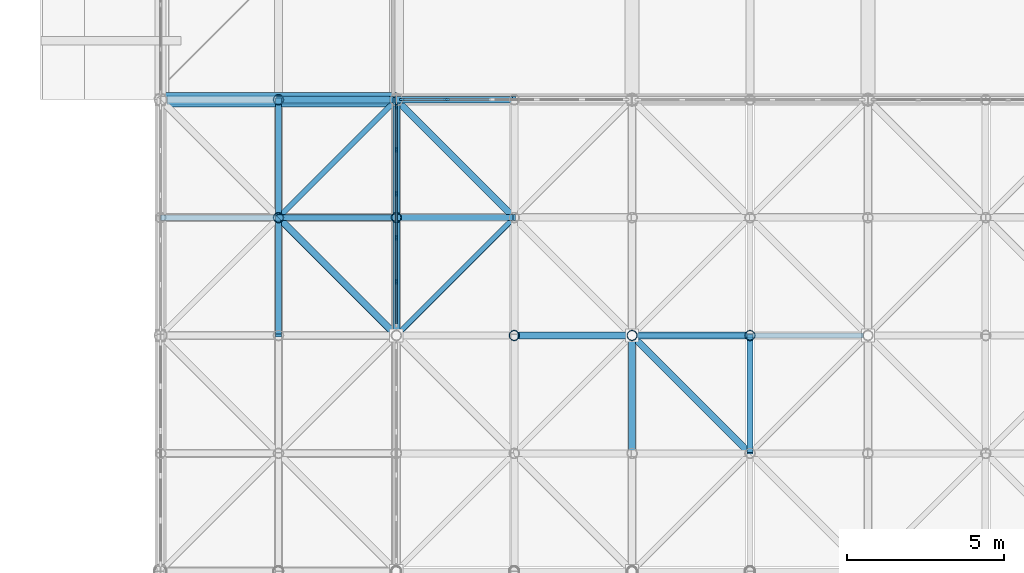
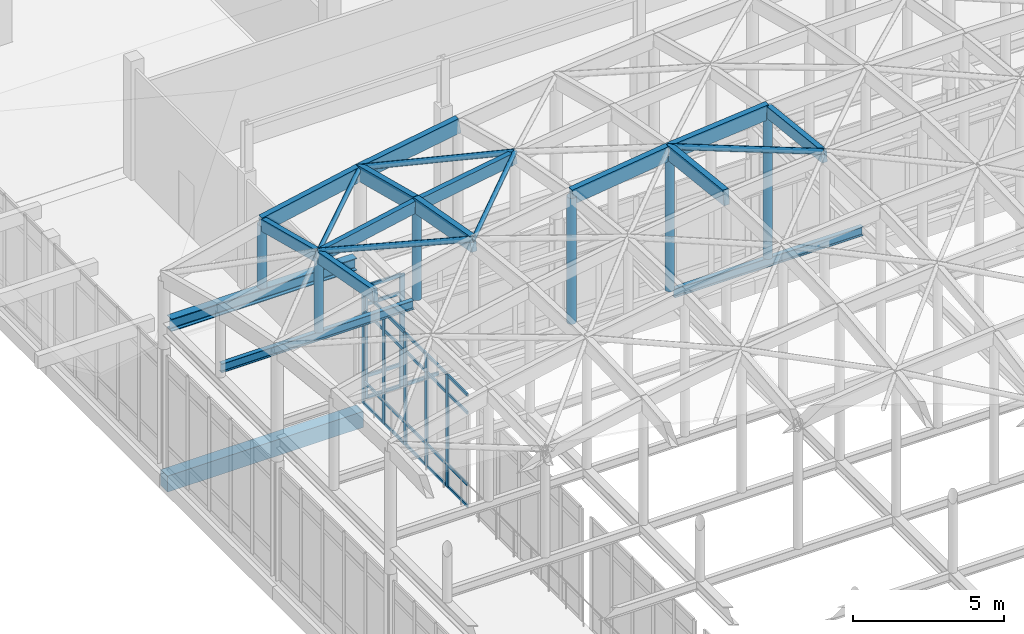
# One storey, part 38 of 131: 55 members, 4 beams, 2 elements without a shape of their own.
"""IFC4 building model written with IfcOpenShell, lengths in metres."""

from ifc_helpers import new_model, si_unit, direction, frame, origin, origin_2d, place, context, subcontext, project, spatial, rectangle, hollow_circle, i_section, extrude, material, layer, layer_set, material_profile, profile_set, type_object, element, aggregate, save


model = new_model("IFC4")

# Units and contexts
model_context = context("Model", 3, precision=1e-05, world=origin(), true_north=direction((0.0, 1.0)))
body_context = subcontext(model_context, "Body", "Model", "MODEL_VIEW")
ifc_project = project(units=[si_unit("LENGTHUNIT", "METRE"), si_unit("AREAUNIT", "SQUARE_METRE"), si_unit("VOLUMEUNIT", "CUBIC_METRE"), si_unit("PLANEANGLEUNIT", "RADIAN"), si_unit("MASSUNIT", "GRAM", prefix="KILO")], contexts=[model_context])

# Site, building, storey
site_placement = place(None, origin())
site = spatial("IfcSite", under=ifc_project, at=site_placement, CompositionType="ELEMENT")
building_placement = place(site_placement, origin())
building = spatial("IfcBuilding", under=site, at=building_placement, Name="Dalvernix Boulevard General Hospital", CompositionType="ELEMENT")
storey_placement = place(building_placement, frame((0.0, 0.0, 9.300048828125)))
storey = spatial("IfcBuildingStorey", under=building, at=storey_placement, Name="L02", CompositionType="ELEMENT", Elevation=9.300048828125)

# Beams
ifc_material_1 = material(Name="Concrete C35/45", Category="concrete")
ifc_material_profile_1 = material_profile(ifc_material_1, rectangle(XDim=0.449951171875, YDim=0.64990234375, at=origin_2d()), Name="RCB 450x650")
ifc_profile_set_1 = profile_set([ifc_material_profile_1], Name="Concrete C35/45")
beam_type_1 = type_object("IfcBeamType", Name="BM-B-03-I", PredefinedType="BEAM", material=ifc_profile_set_1)
beam_1_placement = place(storey_placement, frame((60.0, 61.5, -0.64501953125), z_axis=(1.0, 0.0, 0.0), x_axis=(0.0, 1.0, 0.0)))
element("IfcBeam", 1, at=beam_1_placement, inside=storey, type_object=beam_type_1, Name="L02 E-W girder J:9-10", PredefinedType="BEAM", context=body_context, shape_type="SweptSolid", body=[
    extrude(rectangle(XDim=0.449951171875, YDim=0.64990234375, at=origin_2d()), origin(), (0.0, 0.0, 1.0), 7.5),
])
ifc_material_2 = material(Name="Steel S355", Category="steel")
ifc_material_profile_2 = material_profile(ifc_material_2, i_section(OverallWidth=0.300048828125, OverallDepth=0.5, WebThickness=0.014404296875, FlangeThickness=0.028076171875, FilletRadius=0.027099609375, at=origin_2d()), Name="HEB 500")
ifc_profile_set_2 = profile_set([ifc_material_profile_2], Name="Steel S355")
beam_type_2 = type_object("IfcBeamType", Name="BM-RB-02", PredefinedType="BEAM", material=ifc_profile_set_2)
beam_2_placement = place(storey_placement, frame((60.2099609375, 61.5, 5.64990234375), z_axis=(1.0, 0.0, 0.0), x_axis=(0.0, 1.0, 0.0)))
element("IfcBeam", 2, at=beam_2_placement, inside=storey, type_object=beam_type_2, Name="Gridshell Ring Beam N bay 1", PredefinedType="BEAM", context=body_context, shape_type="SweptSolid", body=[
    extrude(i_section(OverallWidth=0.300048828125, OverallDepth=0.5, WebThickness=0.014404296875, FlangeThickness=0.028076171875, FilletRadius=0.027099609375, at=origin_2d()), origin(), (0.0, 0.0, 1.0), 7.080078125),
])
ifc_material_profile_3 = material_profile(ifc_material_2, i_section(OverallWidth=0.169921875, OverallDepth=0.360107421875, WebThickness=0.008056640625, FlangeThickness=0.0126953125, FilletRadius=0.01806640625, at=origin_2d()), Name="IPE 360")
ifc_profile_set_3 = profile_set([ifc_material_profile_3], Name="Steel S355")
beam_type_3 = type_object("IfcBeamType", Name="BM-RB-08", PredefinedType="BEAM", material=ifc_profile_set_3)
beam_3_placement = place(storey_placement, frame((75.14208984375, 54.0, 6.219970703125), z_axis=(1.0, 0.0, 0.0), x_axis=(0.0, 1.0, 0.0)))
element("IfcBeam", 3, at=beam_3_placement, inside=storey, type_object=beam_type_3, Name="ROOF TRUSS Gridshell cross tie 4-6", PredefinedType="BEAM", context=body_context, shape_type="SweptSolid", body=[
    extrude(i_section(OverallWidth=0.169921875, OverallDepth=0.360107421875, WebThickness=0.008056640625, FlangeThickness=0.0126953125, FilletRadius=0.01806640625, at=origin_2d()), origin(), (0.0, 0.0, 1.0), 7.2158203125),
])
beam_4_placement = place(storey_placement, frame((60.0, 57.75, 6.219970703125), z_axis=(1.0, 0.0, 0.0), x_axis=(0.0, 1.0, 0.0)))
element("IfcBeam", 4, at=beam_4_placement, inside=storey, type_object=beam_type_3, Name="ROOF TRUSS Gridshell cross tie 0-7", PredefinedType="BEAM", context=body_context, shape_type="SweptSolid", body=[
    extrude(i_section(OverallWidth=0.169921875, OverallDepth=0.360107421875, WebThickness=0.008056640625, FlangeThickness=0.0126953125, FilletRadius=0.01806640625, at=origin_2d()), origin(), (0.0, 0.0, 1.0), 7.35791015625),
])

# Curtain wall, members
ifc_material_3 = material(Name="Thermally broken aluminium and solar-control glass curtain wall", Category="aluminium")
ifc_layer_1 = layer(ifc_material_3, 0.159912109375)
ifc_layer_set_1 = layer_set([ifc_layer_1], Name="Thermally broken aluminium and solar-control glass curtain wall (CW-CW-A-70x46)")
curtain_wall_type_1 = type_object("IfcCurtainWallType", Name="CW-CW-A-70x46", PredefinedType="USERDEFINED", material=ifc_layer_set_1)
curtain_wall_1_placement = place(storey_placement, origin())
curtain_wall_1 = element("IfcCurtainWall", 5, at=curtain_wall_1_placement, inside=storey, type_object=curtain_wall_type_1, Name="L02 curtain wall CW-A-70x46 9-7", ObjectType="GLAZED FACADE", PredefinedType="USERDEFINED")
ifc_material_4 = material(Name="Aluminium EN AW-6060", Category="aluminium")
ifc_material_profile_4 = material_profile(ifc_material_4, rectangle(XDim=0.06005859375, YDim=0.159912109375, at=origin_2d()), Name="ALU MULL 60x160")
ifc_profile_set_4 = profile_set([ifc_material_profile_4], Name="Aluminium EN AW-6060")
member_type_1 = type_object("IfcMemberType", Name="MEM-CW-M1", PredefinedType="MULLION", material=ifc_profile_set_4)
member_1_placement = place(storey_placement, frame((67.5, 61.280029296875, 0.0), z_axis=(0.0, 0.0, 1.0), x_axis=(1.0, 0.0, 0.0)))
member_1 = element("IfcMember", 6, at=member_1_placement, type_object=member_type_1, Name="CW-A-70x46 mullion 1", PredefinedType="MULLION", context=body_context, shape_type="SweptSolid", body=[
    extrude(rectangle(XDim=0.06005859375, YDim=0.159912109375, at=origin_2d()), origin(), (0.0, 0.0, 1.0), 4.550048828125),
])
member_2_placement = place(storey_placement, frame((67.5, 59.909912109375, 0.0), z_axis=(0.0, 0.0, 1.0), x_axis=(1.0, 0.0, 0.0)))
member_2 = element("IfcMember", 7, at=member_2_placement, type_object=member_type_1, Name="CW-A-70x46 mullion 2", PredefinedType="MULLION", context=body_context, shape_type="SweptSolid", body=[
    extrude(rectangle(XDim=0.06005859375, YDim=0.159912109375, at=origin_2d()), origin(), (0.0, 0.0, 1.0), 4.550048828125),
])
member_3_placement = place(storey_placement, frame((67.5, 58.510009765625, 0.0), z_axis=(0.0, 0.0, 1.0), x_axis=(1.0, 0.0, 0.0)))
member_3 = element("IfcMember", 8, at=member_3_placement, type_object=member_type_1, Name="CW-A-70x46 mullion 3", PredefinedType="MULLION", context=body_context, shape_type="SweptSolid", body=[
    extrude(rectangle(XDim=0.06005859375, YDim=0.159912109375, at=origin_2d()), origin(), (0.0, 0.0, 1.0), 4.550048828125),
])
member_4_placement = place(storey_placement, frame((67.5, 57.110107421875, 0.0), z_axis=(0.0, 0.0, 1.0), x_axis=(1.0, 0.0, 0.0)))
member_4 = element("IfcMember", 9, at=member_4_placement, type_object=member_type_1, Name="CW-A-70x46 mullion 4", PredefinedType="MULLION", context=body_context, shape_type="SweptSolid", body=[
    extrude(rectangle(XDim=0.06005859375, YDim=0.159912109375, at=origin_2d()), origin(), (0.0, 0.0, 1.0), 4.550048828125),
])
member_5_placement = place(storey_placement, frame((67.5, 55.7099609375, 0.0), z_axis=(0.0, 0.0, 1.0), x_axis=(1.0, 0.0, 0.0)))
member_5 = element("IfcMember", 10, at=member_5_placement, type_object=member_type_1, Name="CW-A-70x46 mullion 5", PredefinedType="MULLION", context=body_context, shape_type="SweptSolid", body=[
    extrude(rectangle(XDim=0.06005859375, YDim=0.159912109375, at=origin_2d()), origin(), (0.0, 0.0, 1.0), 4.550048828125),
])

ifc_layer_2 = layer(ifc_material_3, 0.179931640625)
ifc_layer_set_2 = layer_set([ifc_layer_2], Name="Thermally broken aluminium and solar-control glass curtain wall (CW-CW-B-72x46)")
curtain_wall_type_2 = type_object("IfcCurtainWallType", Name="CW-CW-B-72x46", PredefinedType="USERDEFINED", material=ifc_layer_set_2)
curtain_wall_2_placement = place(storey_placement, origin())
curtain_wall_2 = element("IfcCurtainWall", 11, at=curtain_wall_2_placement, inside=storey, type_object=curtain_wall_type_2, Name="L02 curtain wall CW-B-72x46 9-8", ObjectType="GLAZED FACADE", PredefinedType="USERDEFINED")
ifc_material_profile_5 = material_profile(ifc_material_4, rectangle(XDim=0.06494140625, YDim=0.179931640625, at=origin_2d()), Name="ALU MULL 65x180")
ifc_profile_set_5 = profile_set([ifc_material_profile_5], Name="Aluminium EN AW-6060")
member_type_2 = type_object("IfcMemberType", Name="MEM-CW-M2", PredefinedType="MULLION", material=ifc_profile_set_5)
member_6_placement = place(storey_placement, frame((69.095947265625, 61.5, 0.0), z_axis=(0.0, 0.0, 1.0), x_axis=(0.0, -1.0, 0.0)))
member_6 = element("IfcMember", 12, at=member_6_placement, type_object=member_type_2, Name="CW-B-72x46 mullion 5", PredefinedType="MULLION", context=body_context, shape_type="SweptSolid", body=[
    extrude(rectangle(XDim=0.06494140625, YDim=0.179931640625, at=origin_2d()), origin(), (0.0, 0.0, 1.0), 4.550048828125),
])
member_7_placement = place(storey_placement, frame((67.6923828125, 61.5, 0.0), z_axis=(0.0, 0.0, 1.0), x_axis=(0.0, -1.0, 0.0)))
member_7 = element("IfcMember", 13, at=member_7_placement, type_object=member_type_2, Name="CW-B-72x46 mullion 6", PredefinedType="MULLION", context=body_context, shape_type="SweptSolid", body=[
    extrude(rectangle(XDim=0.06494140625, YDim=0.179931640625, at=origin_2d()), origin(), (0.0, 0.0, 1.0), 4.550048828125),
])

# Member
ifc_material_profile_6 = material_profile(ifc_material_4, rectangle(XDim=0.06005859375, YDim=0.1201171875, at=origin_2d()), Name="ALU TRAN 60x120")
ifc_profile_set_6 = profile_set([ifc_material_profile_6], Name="Aluminium EN AW-6060")
member_type_3 = type_object("IfcMemberType", Name="MEM-CW-T1", PredefinedType="USERDEFINED", material=ifc_profile_set_6)
member_8_placement = place(storey_placement, frame((67.5, 61.25, 0.030029296875), z_axis=(0.0, -1.0, 0.0), x_axis=(1.0, 0.0, 0.0)))
member_8 = element("IfcMember", 14, at=member_8_placement, type_object=member_type_3, Name="CW-A-70x46 transom 1.1", ObjectType="TRANSOM", PredefinedType="USERDEFINED", context=body_context, shape_type="SweptSolid", body=[
    extrude(rectangle(XDim=0.06005859375, YDim=0.1201171875, at=origin_2d()), origin(), (0.0, 0.0, 1.0), 1.31005859375),
])

member_9_placement = place(storey_placement, frame((67.5, 61.25, 0.89990234375), z_axis=(0.0, -1.0, 0.0), x_axis=(1.0, 0.0, 0.0)))
member_9 = element("IfcMember", 15, at=member_9_placement, type_object=member_type_3, Name="CW-A-70x46 transom 1.2", ObjectType="TRANSOM", PredefinedType="USERDEFINED", context=body_context, shape_type="SweptSolid", body=[
    extrude(rectangle(XDim=0.06005859375, YDim=0.1201171875, at=origin_2d()), origin(), (0.0, 0.0, 1.0), 1.31005859375),
])

member_10_placement = place(storey_placement, frame((67.5, 61.25, 3.800048828125), z_axis=(0.0, -1.0, 0.0), x_axis=(1.0, 0.0, 0.0)))
member_10 = element("IfcMember", 16, at=member_10_placement, type_object=member_type_3, Name="CW-A-70x46 transom 1.3", ObjectType="TRANSOM", PredefinedType="USERDEFINED", context=body_context, shape_type="SweptSolid", body=[
    extrude(rectangle(XDim=0.06005859375, YDim=0.1201171875, at=origin_2d()), origin(), (0.0, 0.0, 1.0), 1.31005859375),
])

member_11_placement = place(storey_placement, frame((67.5, 61.25, 4.52001953125), z_axis=(0.0, -1.0, 0.0), x_axis=(1.0, 0.0, 0.0)))
member_11 = element("IfcMember", 17, at=member_11_placement, type_object=member_type_3, Name="CW-A-70x46 transom 1.4", ObjectType="TRANSOM", PredefinedType="USERDEFINED", context=body_context, shape_type="SweptSolid", body=[
    extrude(rectangle(XDim=0.06005859375, YDim=0.1201171875, at=origin_2d()), origin(), (0.0, 0.0, 1.0), 1.31005859375),
])

member_12_placement = place(storey_placement, frame((67.5, 59.8798828125, 0.030029296875), z_axis=(0.0, -1.0, 0.0), x_axis=(1.0, 0.0, 0.0)))
member_12 = element("IfcMember", 18, at=member_12_placement, type_object=member_type_3, Name="CW-A-70x46 transom 2.1", ObjectType="TRANSOM", PredefinedType="USERDEFINED", context=body_context, shape_type="SweptSolid", body=[
    extrude(rectangle(XDim=0.06005859375, YDim=0.1201171875, at=origin_2d()), origin(), (0.0, 0.0, 1.0), 1.33984375),
])

member_13_placement = place(storey_placement, frame((67.5, 59.8798828125, 0.89990234375), z_axis=(0.0, -1.0, 0.0), x_axis=(1.0, 0.0, 0.0)))
member_13 = element("IfcMember", 19, at=member_13_placement, type_object=member_type_3, Name="CW-A-70x46 transom 2.2", ObjectType="TRANSOM", PredefinedType="USERDEFINED", context=body_context, shape_type="SweptSolid", body=[
    extrude(rectangle(XDim=0.06005859375, YDim=0.1201171875, at=origin_2d()), origin(), (0.0, 0.0, 1.0), 1.33984375),
])

member_14_placement = place(storey_placement, frame((67.5, 59.8798828125, 3.800048828125), z_axis=(0.0, -1.0, 0.0), x_axis=(1.0, 0.0, 0.0)))
member_14 = element("IfcMember", 20, at=member_14_placement, type_object=member_type_3, Name="CW-A-70x46 transom 2.3", ObjectType="TRANSOM", PredefinedType="USERDEFINED", context=body_context, shape_type="SweptSolid", body=[
    extrude(rectangle(XDim=0.06005859375, YDim=0.1201171875, at=origin_2d()), origin(), (0.0, 0.0, 1.0), 1.33984375),
])

member_15_placement = place(storey_placement, frame((67.5, 59.8798828125, 4.52001953125), z_axis=(0.0, -1.0, 0.0), x_axis=(1.0, 0.0, 0.0)))
member_15 = element("IfcMember", 21, at=member_15_placement, type_object=member_type_3, Name="CW-A-70x46 transom 2.4", ObjectType="TRANSOM", PredefinedType="USERDEFINED", context=body_context, shape_type="SweptSolid", body=[
    extrude(rectangle(XDim=0.06005859375, YDim=0.1201171875, at=origin_2d()), origin(), (0.0, 0.0, 1.0), 1.33984375),
])

member_16_placement = place(storey_placement, frame((67.5, 58.47998046875, 0.030029296875), z_axis=(0.0, -1.0, 0.0), x_axis=(1.0, 0.0, 0.0)))
member_16 = element("IfcMember", 22, at=member_16_placement, type_object=member_type_3, Name="CW-A-70x46 transom 3.1", ObjectType="TRANSOM", PredefinedType="USERDEFINED", context=body_context, shape_type="SweptSolid", body=[
    extrude(rectangle(XDim=0.06005859375, YDim=0.1201171875, at=origin_2d()), origin(), (0.0, 0.0, 1.0), 1.340087890625),
])

member_17_placement = place(storey_placement, frame((67.5, 58.47998046875, 0.89990234375), z_axis=(0.0, -1.0, 0.0), x_axis=(1.0, 0.0, 0.0)))
member_17 = element("IfcMember", 23, at=member_17_placement, type_object=member_type_3, Name="CW-A-70x46 transom 3.2", ObjectType="TRANSOM", PredefinedType="USERDEFINED", context=body_context, shape_type="SweptSolid", body=[
    extrude(rectangle(XDim=0.06005859375, YDim=0.1201171875, at=origin_2d()), origin(), (0.0, 0.0, 1.0), 1.340087890625),
])

member_18_placement = place(storey_placement, frame((67.5, 58.47998046875, 3.800048828125), z_axis=(0.0, -1.0, 0.0), x_axis=(1.0, 0.0, 0.0)))
member_18 = element("IfcMember", 24, at=member_18_placement, type_object=member_type_3, Name="CW-A-70x46 transom 3.3", ObjectType="TRANSOM", PredefinedType="USERDEFINED", context=body_context, shape_type="SweptSolid", body=[
    extrude(rectangle(XDim=0.06005859375, YDim=0.1201171875, at=origin_2d()), origin(), (0.0, 0.0, 1.0), 1.340087890625),
])

member_19_placement = place(storey_placement, frame((67.5, 58.47998046875, 4.52001953125), z_axis=(0.0, -1.0, 0.0), x_axis=(1.0, 0.0, 0.0)))
member_19 = element("IfcMember", 25, at=member_19_placement, type_object=member_type_3, Name="CW-A-70x46 transom 3.4", ObjectType="TRANSOM", PredefinedType="USERDEFINED", context=body_context, shape_type="SweptSolid", body=[
    extrude(rectangle(XDim=0.06005859375, YDim=0.1201171875, at=origin_2d()), origin(), (0.0, 0.0, 1.0), 1.340087890625),
])

member_20_placement = place(storey_placement, frame((67.5, 57.080078125, 0.030029296875), z_axis=(0.0, -1.0, 0.0), x_axis=(1.0, 0.0, 0.0)))
member_20 = element("IfcMember", 26, at=member_20_placement, type_object=member_type_3, Name="CW-A-70x46 transom 4.1", ObjectType="TRANSOM", PredefinedType="USERDEFINED", context=body_context, shape_type="SweptSolid", body=[
    extrude(rectangle(XDim=0.06005859375, YDim=0.1201171875, at=origin_2d()), origin(), (0.0, 0.0, 1.0), 1.340087890625),
])

member_21_placement = place(storey_placement, frame((67.5, 57.080078125, 0.89990234375), z_axis=(0.0, -1.0, 0.0), x_axis=(1.0, 0.0, 0.0)))
member_21 = element("IfcMember", 27, at=member_21_placement, type_object=member_type_3, Name="CW-A-70x46 transom 4.2", ObjectType="TRANSOM", PredefinedType="USERDEFINED", context=body_context, shape_type="SweptSolid", body=[
    extrude(rectangle(XDim=0.06005859375, YDim=0.1201171875, at=origin_2d()), origin(), (0.0, 0.0, 1.0), 1.340087890625),
])

member_22_placement = place(storey_placement, frame((67.5, 57.080078125, 3.800048828125), z_axis=(0.0, -1.0, 0.0), x_axis=(1.0, 0.0, 0.0)))
member_22 = element("IfcMember", 28, at=member_22_placement, type_object=member_type_3, Name="CW-A-70x46 transom 4.3", ObjectType="TRANSOM", PredefinedType="USERDEFINED", context=body_context, shape_type="SweptSolid", body=[
    extrude(rectangle(XDim=0.06005859375, YDim=0.1201171875, at=origin_2d()), origin(), (0.0, 0.0, 1.0), 1.340087890625),
])

member_23_placement = place(storey_placement, frame((67.5, 57.080078125, 4.52001953125), z_axis=(0.0, -1.0, 0.0), x_axis=(1.0, 0.0, 0.0)))
member_23 = element("IfcMember", 29, at=member_23_placement, type_object=member_type_3, Name="CW-A-70x46 transom 4.4", ObjectType="TRANSOM", PredefinedType="USERDEFINED", context=body_context, shape_type="SweptSolid", body=[
    extrude(rectangle(XDim=0.06005859375, YDim=0.1201171875, at=origin_2d()), origin(), (0.0, 0.0, 1.0), 1.340087890625),
])

member_24_placement = place(storey_placement, frame((67.5, 55.679931640625, 0.030029296875), z_axis=(0.0, -1.0, 0.0), x_axis=(1.0, 0.0, 0.0)))
member_24 = element("IfcMember", 30, at=member_24_placement, type_object=member_type_3, Name="CW-A-70x46 transom 5.1", ObjectType="TRANSOM", PredefinedType="USERDEFINED", context=body_context, shape_type="SweptSolid", body=[
    extrude(rectangle(XDim=0.06005859375, YDim=0.1201171875, at=origin_2d()), origin(), (0.0, 0.0, 1.0), 1.309814453125),
])

member_25_placement = place(storey_placement, frame((67.5, 55.679931640625, 0.89990234375), z_axis=(0.0, -1.0, 0.0), x_axis=(1.0, 0.0, 0.0)))
member_25 = element("IfcMember", 31, at=member_25_placement, type_object=member_type_3, Name="CW-A-70x46 transom 5.2", ObjectType="TRANSOM", PredefinedType="USERDEFINED", context=body_context, shape_type="SweptSolid", body=[
    extrude(rectangle(XDim=0.06005859375, YDim=0.1201171875, at=origin_2d()), origin(), (0.0, 0.0, 1.0), 1.309814453125),
])

member_26_placement = place(storey_placement, frame((67.5, 55.679931640625, 3.800048828125), z_axis=(0.0, -1.0, 0.0), x_axis=(1.0, 0.0, 0.0)))
member_26 = element("IfcMember", 32, at=member_26_placement, type_object=member_type_3, Name="CW-A-70x46 transom 5.3", ObjectType="TRANSOM", PredefinedType="USERDEFINED", context=body_context, shape_type="SweptSolid", body=[
    extrude(rectangle(XDim=0.06005859375, YDim=0.1201171875, at=origin_2d()), origin(), (0.0, 0.0, 1.0), 1.309814453125),
])

member_27_placement = place(storey_placement, frame((67.5, 55.679931640625, 4.52001953125), z_axis=(0.0, -1.0, 0.0), x_axis=(1.0, 0.0, 0.0)))
member_27 = element("IfcMember", 33, at=member_27_placement, type_object=member_type_3, Name="CW-A-70x46 transom 5.4", ObjectType="TRANSOM", PredefinedType="USERDEFINED", context=body_context, shape_type="SweptSolid", body=[
    extrude(rectangle(XDim=0.06005859375, YDim=0.1201171875, at=origin_2d()), origin(), (0.0, 0.0, 1.0), 1.309814453125),
])

aggregate(curtain_wall_1, [member_1, member_2, member_3, member_4, member_5, member_8, member_9, member_10, member_11, member_12, member_13, member_14, member_15, member_16, member_17, member_18, member_19, member_20, member_21, member_22, member_23, member_24, member_25, member_26, member_27])

ifc_material_profile_7 = material_profile(ifc_material_4, rectangle(XDim=0.06494140625, YDim=0.139892578125, at=origin_2d()), Name="ALU TRAN 65x140")
ifc_profile_set_7 = profile_set([ifc_material_profile_7], Name="Aluminium EN AW-6060")
member_type_4 = type_object("IfcMemberType", Name="MEM-CW-T2", PredefinedType="USERDEFINED", material=ifc_profile_set_7)
member_28_placement = place(storey_placement, frame((70.49951171875, 61.5, 0.032470703125), z_axis=(-1.0, 0.0, 0.0), x_axis=(0.0, -1.0, 0.0)))
member_28 = element("IfcMember", 34, at=member_28_placement, type_object=member_type_4, Name="CW-B-72x46 transom 4.1", ObjectType="TRANSOM", PredefinedType="USERDEFINED", context=body_context, shape_type="SweptSolid", body=[
    extrude(rectangle(XDim=0.06494140625, YDim=0.139892578125, at=origin_2d()), origin(), (0.0, 0.0, 1.0), 1.37109375),
])

member_29_placement = place(storey_placement, frame((69.0634765625, 61.5, 0.032470703125), z_axis=(-1.0, 0.0, 0.0), x_axis=(0.0, -1.0, 0.0)))
member_29 = element("IfcMember", 35, at=member_29_placement, type_object=member_type_4, Name="CW-B-72x46 transom 5.1", ObjectType="TRANSOM", PredefinedType="USERDEFINED", context=body_context, shape_type="SweptSolid", body=[
    extrude(rectangle(XDim=0.06494140625, YDim=0.139892578125, at=origin_2d()), origin(), (0.0, 0.0, 1.0), 1.33837890625),
])

member_30_placement = place(storey_placement, frame((69.0634765625, 61.5, 0.89990234375), z_axis=(-1.0, 0.0, 0.0), x_axis=(0.0, -1.0, 0.0)))
member_30 = element("IfcMember", 36, at=member_30_placement, type_object=member_type_4, Name="CW-B-72x46 transom 5.2", ObjectType="TRANSOM", PredefinedType="USERDEFINED", context=body_context, shape_type="SweptSolid", body=[
    extrude(rectangle(XDim=0.06494140625, YDim=0.139892578125, at=origin_2d()), origin(), (0.0, 0.0, 1.0), 1.33837890625),
])

member_31_placement = place(storey_placement, frame((69.0634765625, 61.5, 3.800048828125), z_axis=(-1.0, 0.0, 0.0), x_axis=(0.0, -1.0, 0.0)))
member_31 = element("IfcMember", 37, at=member_31_placement, type_object=member_type_4, Name="CW-B-72x46 transom 5.3", ObjectType="TRANSOM", PredefinedType="USERDEFINED", context=body_context, shape_type="SweptSolid", body=[
    extrude(rectangle(XDim=0.06494140625, YDim=0.139892578125, at=origin_2d()), origin(), (0.0, 0.0, 1.0), 1.33837890625),
])

member_32_placement = place(storey_placement, frame((69.0634765625, 61.5, 4.517333984375), z_axis=(-1.0, 0.0, 0.0), x_axis=(0.0, -1.0, 0.0)))
member_32 = element("IfcMember", 38, at=member_32_placement, type_object=member_type_4, Name="CW-B-72x46 transom 5.4", ObjectType="TRANSOM", PredefinedType="USERDEFINED", context=body_context, shape_type="SweptSolid", body=[
    extrude(rectangle(XDim=0.06494140625, YDim=0.139892578125, at=origin_2d()), origin(), (0.0, 0.0, 1.0), 1.33837890625),
])

aggregate(curtain_wall_2, [member_6, member_7, member_28, member_29, member_30, member_31, member_32])

# Members
ifc_material_5 = material(Name="Glulam GL28h", Category="wood")
ifc_material_profile_8 = material_profile(ifc_material_5, rectangle(XDim=0.219970703125, YDim=0.60009765625, at=origin_2d()), Name="GL28h 220x600")
ifc_profile_set_8 = profile_set([ifc_material_profile_8], Name="Glulam GL28h")
member_type_5 = type_object("IfcMemberType", Name="MEM-GS-C1", PredefinedType="CHORD", material=ifc_profile_set_8)
member_33_placement = place(storey_placement, frame((71.25, 54.0, 11.48974609375), z_axis=(0.99171987465, 0.0, 0.128419975956), x_axis=(0.0, 1.0, 0.0)))
element("IfcMember", 39, at=member_33_placement, inside=storey, type_object=member_type_5, Name="ROOF TRUSS Gridshell E-W glulam rib 4-7", PredefinedType="CHORD", context=body_context, shape_type="SweptSolid", body=[
    extrude(rectangle(XDim=0.219970703125, YDim=0.60009765625, at=origin_2d()), origin(), (0.0, 0.0, 1.0), 3.78125),
])
member_34_placement = place(storey_placement, frame((75.0, 54.0, 11.975341796875), z_axis=(0.995747945021, 0.0, 0.092119650382), x_axis=(0.0, 1.0, 0.0)))
element("IfcMember", 40, at=member_34_placement, inside=storey, type_object=member_type_5, Name="ROOF TRUSS Gridshell E-W glulam rib 5-7", PredefinedType="CHORD", context=body_context, shape_type="SweptSolid", body=[
    extrude(rectangle(XDim=0.219970703125, YDim=0.60009765625, at=origin_2d()), origin(), (0.0, 0.0, 1.0), 3.76611328125),
])
member_35_placement = place(storey_placement, frame((63.75, 61.5, 8.451904296875), z_axis=(0.979900110741, 0.0, 0.199488779055), x_axis=(0.0, 1.0, 0.0)))
element("IfcMember", 41, at=member_35_placement, inside=storey, type_object=member_type_5, Name="ROOF TRUSS Gridshell E-W glulam rib 2-9", PredefinedType="CHORD", context=body_context, shape_type="SweptSolid", body=[
    extrude(rectangle(XDim=0.219970703125, YDim=0.60009765625, at=origin_2d()), origin(), (0.0, 0.0, 1.0), 3.826904296875),
])
member_36_placement = place(storey_placement, frame((67.5, 61.5, 9.21533203125), z_axis=(0.98641474393, 0.0, 0.164274017902), x_axis=(0.0, 1.0, 0.0)))
element("IfcMember", 42, at=member_36_placement, inside=storey, type_object=member_type_5, Name="ROOF TRUSS Gridshell E-W glulam rib 3-9", PredefinedType="CHORD", context=body_context, shape_type="SweptSolid", body=[
    extrude(rectangle(XDim=0.219970703125, YDim=0.60009765625, at=origin_2d()), origin(), (0.0, 0.0, 1.0), 3.8017578125),
])
member_37_placement = place(storey_placement, frame((67.5, 54.0, 10.865234375), z_axis=(0.0, 0.983606557377, -0.180327868852), x_axis=(-1.0, 0.0, 0.0)))
element("IfcMember", 43, at=member_37_placement, inside=storey, type_object=member_type_5, Name="ROOF TRUSS Gridshell N-S glulam rib 3-7", PredefinedType="CHORD", context=body_context, shape_type="SweptSolid", body=[
    extrude(rectangle(XDim=0.219970703125, YDim=0.60009765625, at=origin_2d()), origin(), (0.0, 0.0, 1.0), 3.8125),
])
member_38_placement = place(storey_placement, frame((67.5, 57.75, 10.177734375), z_axis=(0.0, 0.968610158303, -0.248584716408), x_axis=(-1.0, 0.0, 0.0)))
element("IfcMember", 44, at=member_38_placement, inside=storey, type_object=member_type_5, Name="ROOF TRUSS Gridshell N-S glulam rib 3-8", PredefinedType="CHORD", context=body_context, shape_type="SweptSolid", body=[
    extrude(rectangle(XDim=0.219970703125, YDim=0.60009765625, at=origin_2d()), origin(), (0.0, 0.0, 1.0), 3.87158203125),
])
member_39_placement = place(storey_placement, frame((75.0, 50.25, 12.387939453125), z_axis=(0.0, 0.994001542248, -0.109366055104), x_axis=(-1.0, 0.0, 0.0)))
element("IfcMember", 45, at=member_39_placement, inside=storey, type_object=member_type_5, Name="ROOF TRUSS Gridshell N-S glulam rib 5-6", PredefinedType="CHORD", context=body_context, shape_type="SweptSolid", body=[
    extrude(rectangle(XDim=0.219970703125, YDim=0.60009765625, at=origin_2d()), origin(), (0.0, 0.0, 1.0), 3.772705078125),
])
ifc_material_profile_9 = material_profile(ifc_material_5, rectangle(XDim=0.199951171875, YDim=0.47998046875, at=origin_2d()), Name="GL28h 200x480")
ifc_profile_set_9 = profile_set([ifc_material_profile_9], Name="Glulam GL28h")
member_type_6 = type_object("IfcMemberType", Name="MEM-GS-C2", PredefinedType="CHORD", material=ifc_profile_set_9)
member_40_placement = place(storey_placement, frame((63.75, 57.75, 9.41455078125), z_axis=(0.979912579686, 0.0, 0.1994275211), x_axis=(0.0, 1.0, 0.0)))
element("IfcMember", 46, at=member_40_placement, inside=storey, type_object=member_type_6, Name="ROOF TRUSS Gridshell E-W glulam rib 2-8", PredefinedType="CHORD", context=body_context, shape_type="SweptSolid", body=[
    extrude(rectangle(XDim=0.199951171875, YDim=0.47998046875, at=origin_2d()), origin(), (0.0, 0.0, 1.0), 3.826904296875),
])
member_41_placement = place(storey_placement, frame((67.5, 57.75, 10.177734375), z_axis=(0.98641474393, 0.0, 0.164274017902), x_axis=(0.0, 1.0, 0.0)))
element("IfcMember", 47, at=member_41_placement, inside=storey, type_object=member_type_6, Name="ROOF TRUSS Gridshell E-W glulam rib 3-8", PredefinedType="CHORD", context=body_context, shape_type="SweptSolid", body=[
    extrude(rectangle(XDim=0.199951171875, YDim=0.47998046875, at=origin_2d()), origin(), (0.0, 0.0, 1.0), 3.8017578125),
])
member_42_placement = place(storey_placement, frame((63.75, 54.0, 10.10205078125), z_axis=(0.0, 0.983606557377, -0.180327868852), x_axis=(-1.0, 0.0, 0.0)))
element("IfcMember", 48, at=member_42_placement, inside=storey, type_object=member_type_6, Name="ROOF TRUSS Gridshell N-S glulam rib 2-7", PredefinedType="CHORD", context=body_context, shape_type="SweptSolid", body=[
    extrude(rectangle(XDim=0.199951171875, YDim=0.47998046875, at=origin_2d()), origin(), (0.0, 0.0, 1.0), 3.8125),
])
member_43_placement = place(storey_placement, frame((63.75, 57.75, 9.41455078125), z_axis=(0.0, 0.968594972907, -0.248643878787), x_axis=(-1.0, 0.0, 0.0)))
element("IfcMember", 49, at=member_43_placement, inside=storey, type_object=member_type_6, Name="ROOF TRUSS Gridshell N-S glulam rib 2-8", PredefinedType="CHORD", context=body_context, shape_type="SweptSolid", body=[
    extrude(rectangle(XDim=0.199951171875, YDim=0.47998046875, at=origin_2d()), origin(), (0.0, 0.0, 1.0), 3.87158203125),
])
member_44_placement = place(storey_placement, frame((78.75, 50.25, 12.73486328125), z_axis=(0.0, 0.994001542248, -0.109366055104), x_axis=(-1.0, 0.0, 0.0)))
element("IfcMember", 50, at=member_44_placement, inside=storey, type_object=member_type_6, Name="ROOF TRUSS Gridshell N-S glulam rib 6-6", PredefinedType="CHORD", context=body_context, shape_type="SweptSolid", body=[
    extrude(rectangle(XDim=0.199951171875, YDim=0.47998046875, at=origin_2d()), origin(), (0.0, 0.0, 1.0), 3.772705078125),
])
ifc_material_profile_10 = material_profile(ifc_material_2, hollow_circle(Radius=0.161865234375, WallThickness=0.012451171875, at=origin_2d()), Name="CHS 323.9x12.5")
ifc_profile_set_10 = profile_set([ifc_material_profile_10], Name="Steel S355")
member_type_7 = type_object("IfcMemberType", Name="MEM-GS-C3", PredefinedType="CHORD", material=ifc_profile_set_10)
member_45_placement = place(storey_placement, frame((63.75, 61.5, 5.89990234375), z_axis=(0.0, 0.0, 1.0), x_axis=(1.0, 0.0, 0.0)))
element("IfcMember", 51, at=member_45_placement, inside=storey, type_object=member_type_7, Name="Gridshell edge mullion 1-8", PredefinedType="CHORD", context=body_context, shape_type="SweptSolid", body=[
    extrude(hollow_circle(Radius=0.161865234375, WallThickness=0.012451171875, at=origin_2d()), origin(), (0.0, 0.0, 1.0), 2.552001953125),
])
member_46_placement = place(storey_placement, frame((63.75, 57.75, 6.39990234375), z_axis=(0.0, 0.0, 1.0), x_axis=(1.0, 0.0, 0.0)))
element("IfcMember", 52, at=member_46_placement, inside=storey, type_object=member_type_7, Name="ROOF TRUSS Gridshell arch queen post 1-7", PredefinedType="CHORD", context=body_context, shape_type="SweptSolid", body=[
    extrude(hollow_circle(Radius=0.161865234375, WallThickness=0.012451171875, at=origin_2d()), origin(), (0.0, 0.0, 1.0), 3.0146484375),
])
member_47_placement = place(storey_placement, frame((67.5, 57.75, 6.39990234375), z_axis=(0.0, 0.0, 1.0), x_axis=(1.0, 0.0, 0.0)))
element("IfcMember", 53, at=member_47_placement, inside=storey, type_object=member_type_7, Name="ROOF TRUSS Gridshell arch queen post 2-7", PredefinedType="CHORD", context=body_context, shape_type="SweptSolid", body=[
    extrude(hollow_circle(Radius=0.161865234375, WallThickness=0.012451171875, at=origin_2d()), origin(), (0.0, 0.0, 1.0), 3.77783203125),
])
member_48_placement = place(storey_placement, frame((71.25, 54.0, 6.39990234375), z_axis=(0.0, 0.0, 1.0), x_axis=(1.0, 0.0, 0.0)))
element("IfcMember", 54, at=member_48_placement, inside=storey, type_object=member_type_7, Name="ROOF TRUSS Gridshell arch queen post 3-6", PredefinedType="CHORD", context=body_context, shape_type="SweptSolid", body=[
    extrude(hollow_circle(Radius=0.161865234375, WallThickness=0.012451171875, at=origin_2d()), origin(), (0.0, 0.0, 1.0), 5.08984375),
])
member_49_placement = place(storey_placement, frame((75.0, 54.0, 6.39990234375), z_axis=(0.0, 0.0, 1.0), x_axis=(1.0, 0.0, 0.0)))
element("IfcMember", 55, at=member_49_placement, inside=storey, type_object=member_type_7, Name="ROOF TRUSS Gridshell arch queen post 4-6", PredefinedType="CHORD", context=body_context, shape_type="SweptSolid", body=[
    extrude(hollow_circle(Radius=0.161865234375, WallThickness=0.012451171875, at=origin_2d()), origin(), (0.0, 0.0, 1.0), 5.575439453125),
])
member_50_placement = place(storey_placement, frame((78.75, 54.0, 6.39990234375), z_axis=(0.0, 0.0, 1.0), x_axis=(1.0, 0.0, 0.0)))
element("IfcMember", 56, at=member_50_placement, inside=storey, type_object=member_type_7, Name="ROOF TRUSS Gridshell arch queen post 5-6", PredefinedType="CHORD", context=body_context, shape_type="SweptSolid", body=[
    extrude(hollow_circle(Radius=0.161865234375, WallThickness=0.012451171875, at=origin_2d()), origin(), (0.0, 0.0, 1.0), 5.92236328125),
])
ifc_material_profile_11 = material_profile(ifc_material_2, hollow_circle(Radius=0.084228515625, WallThickness=0.00634765625, at=origin_2d()), Name="CHS 168.3x6.3")
ifc_profile_set_11 = profile_set([ifc_material_profile_11], Name="Steel S355")
member_type_8 = type_object("IfcMemberType", Name="MEM-GSD-01", PredefinedType="BRACE", material=ifc_profile_set_11)
member_51_placement = place(storey_placement, frame((63.75, 57.75, 9.6044921875), z_axis=(0.706608397798, 0.706608397798, -0.037538571133), x_axis=(-0.707106781187, 0.707106781187, 0.0)))
element("IfcMember", 57, at=member_51_placement, inside=storey, type_object=member_type_8, Name="ROOF TRUSS Gridshell diagrid tube 2-8", PredefinedType="BRACE", context=body_context, shape_type="SweptSolid", body=[
    extrude(hollow_circle(Radius=0.084228515625, WallThickness=0.00634765625, at=origin_2d()), origin(), (0.0, 0.0, 1.0), 5.30712890625),
])
member_52_placement = place(storey_placement, frame((67.5, 54.0, 11.05517578125), z_axis=(0.707056911568, 0.707056911568, -0.011876346561), x_axis=(-0.707106781187, 0.707106781187, 0.0)))
element("IfcMember", 58, at=member_52_placement, inside=storey, type_object=member_type_8, Name="ROOF TRUSS Gridshell diagrid tube 3-7", PredefinedType="BRACE", context=body_context, shape_type="SweptSolid", body=[
    extrude(hollow_circle(Radius=0.084228515625, WallThickness=0.00634765625, at=origin_2d()), origin(), (0.0, 0.0, 1.0), 5.3037109375),
])
ifc_material_profile_12 = material_profile(ifc_material_2, hollow_circle(Radius=0.109619140625, WallThickness=0.008056640625, at=origin_2d()), Name="CHS 219.1x8.0")
ifc_profile_set_12 = profile_set([ifc_material_profile_12], Name="Steel S355")
member_type_9 = type_object("IfcMemberType", Name="MEM-GSD-02", PredefinedType="BRACE", material=ifc_profile_set_12)
member_53_placement = place(storey_placement, frame((67.5, 54.0, 11.05517578125), z_axis=(-0.68204952164, 0.68204952164, -0.263850146978), x_axis=(-0.707106781187, -0.707106781187, 0.0)))
element("IfcMember", 59, at=member_53_placement, inside=storey, type_object=member_type_9, Name="ROOF TRUSS Gridshell diagrid tube 2-7", PredefinedType="BRACE", context=body_context, shape_type="SweptSolid", body=[
    extrude(hollow_circle(Radius=0.109619140625, WallThickness=0.008056640625, at=origin_2d()), origin(), (0.0, 0.0, 1.0), 5.498046875),
])
member_54_placement = place(storey_placement, frame((71.25, 57.75, 10.9921875), z_axis=(-0.677428599884, 0.677428599884, -0.286672259066), x_axis=(-0.707106781187, -0.707106781187, 0.0)))
element("IfcMember", 60, at=member_54_placement, inside=storey, type_object=member_type_9, Name="ROOF TRUSS Gridshell diagrid tube 3-8", PredefinedType="BRACE", context=body_context, shape_type="SweptSolid", body=[
    extrude(hollow_circle(Radius=0.109619140625, WallThickness=0.008056640625, at=origin_2d()), origin(), (0.0, 0.0, 1.0), 5.53564453125),
])
member_55_placement = place(storey_placement, frame((78.75, 50.25, 12.9248046875), z_axis=(-0.699969238826, 0.699969238826, -0.141725542497), x_axis=(-0.707106781187, -0.707106781187, 0.0)))
element("IfcMember", 61, at=member_55_placement, inside=storey, type_object=member_type_9, Name="ROOF TRUSS Gridshell diagrid tube 5-6", PredefinedType="BRACE", context=body_context, shape_type="SweptSolid", body=[
    extrude(hollow_circle(Radius=0.109619140625, WallThickness=0.008056640625, at=origin_2d()), origin(), (0.0, 0.0, 1.0), 5.357421875),
])

save(model, "model.ifc")
